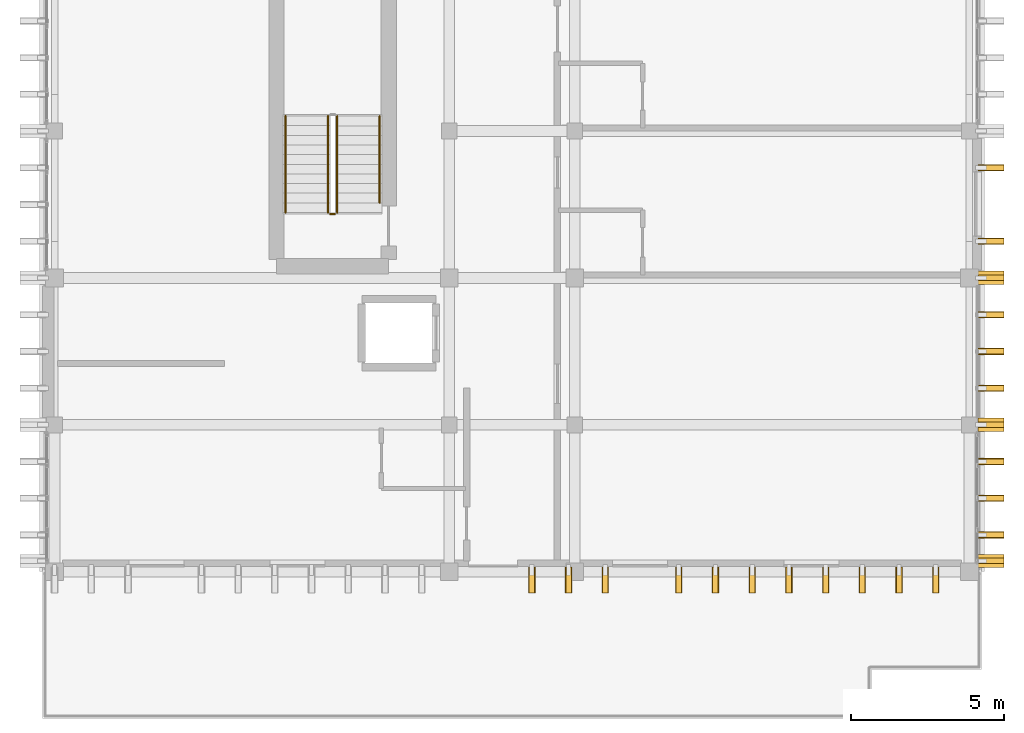
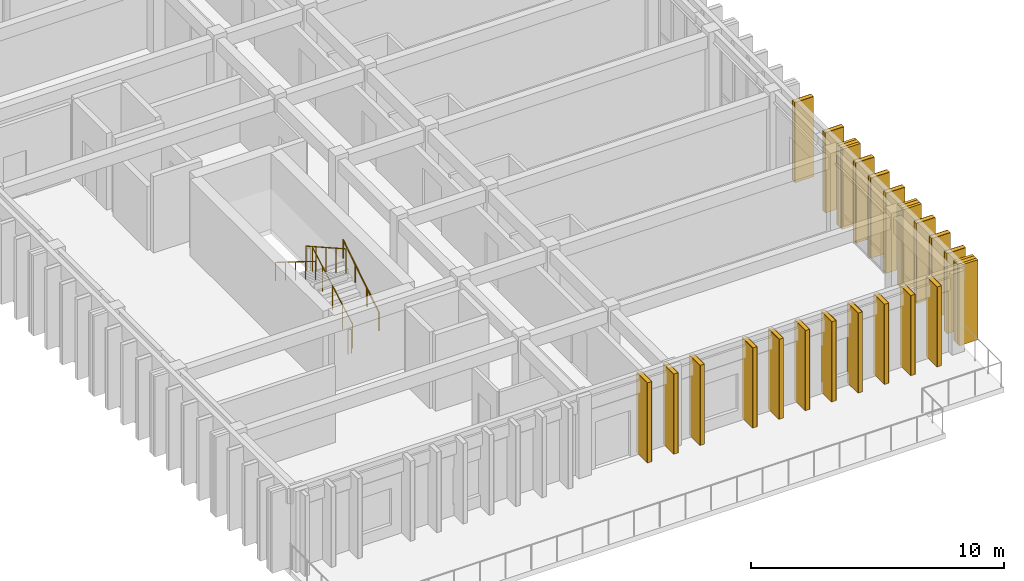
# One storey, part 45 of 49: 22 coverings, 22 shading devices, 5 railings.
"""IFC4 building model written with IfcOpenShell, lengths in metres."""

import ifcopenshell
import ifcopenshell.guid

model = None  # the IFC model being written
_history = None  # IfcOwnerHistory: only IFC2X3 demands one
_inside = {}  # id of a spatial element -> (the spatial element, [elements in it])
_under = {}  # id of a project, library or spatial element -> (it, [spatial elements below it])
_declared = {}  # id of a project -> (the project, [libraries it declares])
_typed = {}  # id of a type object -> (the type object, [elements of that type])
_made_of = {}  # id of a material, layer set ... -> (it, [elements and type objects made of it])


def new_model(schema):
    """Start an empty IFC model of exactly this schema.

    Asked for "IFC4X3", IfcOpenShell would pick the latest addendum, in which some entities
    have other attributes; the version numbers below select the first issue.
    IFC2X3 requires an IfcOwnerHistory on every rooted entity: one is made here for all.
    """
    global model, _history
    if schema == "IFC4X3":
        model = ifcopenshell.file(schema_version=(4, 3, 0, 0))
    else:
        model = ifcopenshell.file(schema=schema)
    _inside.clear()
    _under.clear()
    _declared.clear()
    _typed.clear()
    _made_of.clear()
    _history = None
    if model.schema == "IFC2X3":
        org = make("IfcOrganization", Name="unknown")
        user = make(
            "IfcPersonAndOrganization",
            ThePerson=make("IfcPerson", FamilyName="unknown"),
            TheOrganization=org,
        )
        app = make(
            "IfcApplication",
            ApplicationDeveloper=org,
            Version="unknown",
            ApplicationFullName="unknown",
            ApplicationIdentifier="unknown",
        )
        _history = make(
            "IfcOwnerHistory",
            OwningUser=user,
            OwningApplication=app,
            ChangeAction="ADDED",
            CreationDate=0,
        )
    return model


def make(cls, **values):
    """One entity of the class cls with the attributes given. An attribute that is None is left unset."""
    return model.create_entity(
        cls, **{name: value for name, value in values.items() if value is not None}
    )


def rooted(cls, **values):
    """An entity with a GlobalId (a new one), such as an element, a storey or a relation."""
    return make(cls, GlobalId=ifcopenshell.guid.new(), OwnerHistory=_history, **values)


def si_unit(unit_type, name, prefix=None):
    """IfcSIUnit, for example si_unit("LENGTHUNIT", "METRE", prefix="MILLI")."""
    return make("IfcSIUnit", UnitType=unit_type, Prefix=prefix, Name=name)


def assignment(units):
    """IfcUnitAssignment: the units of a project."""
    return None if units is None else make("IfcUnitAssignment", Units=units)


def point(xyz):
    """IfcCartesianPoint."""
    return None if xyz is None else make("IfcCartesianPoint", Coordinates=xyz)


def direction(xyz):
    """IfcDirection."""
    return None if xyz is None else make("IfcDirection", DirectionRatios=xyz)


def frame(location, z_axis=None, x_axis=None):
    """IfcAxis2Placement3D, a coordinate frame: its origin and axes. An axis left out is left unset."""
    return make(
        "IfcAxis2Placement3D",
        Location=point(location),
        Axis=direction(z_axis),
        RefDirection=direction(x_axis),
    )


def frame_2d(location, x_axis=None):
    """IfcAxis2Placement2D, a coordinate frame in the plane: its origin and x axis."""
    return make(
        "IfcAxis2Placement2D", Location=point(location), RefDirection=direction(x_axis)
    )


def origin():
    """The frame at (0, 0, 0) with its axes left unset."""
    return frame((0.0, 0.0, 0.0))


def origin_2d():
    """The frame at (0, 0) in the plane with its x axis left unset."""
    return frame_2d((0.0, 0.0))


def place(relative_to, where):
    """IfcLocalPlacement: puts the frame where relative to a parent placement (None: the world)."""
    return make(
        "IfcLocalPlacement", PlacementRelTo=relative_to, RelativePlacement=where
    )


def context(
    kind, dimensions, precision=None, world=None, true_north=None, identifier=None
):
    """IfcGeometricRepresentationContext, for example the 3D "Model" context."""
    return make(
        "IfcGeometricRepresentationContext",
        ContextIdentifier=identifier,
        ContextType=kind,
        CoordinateSpaceDimension=dimensions,
        Precision=precision,
        WorldCoordinateSystem=world,
        TrueNorth=true_north,
    )


def subcontext(parent, identifier, kind, view, scale=None):
    """IfcGeometricRepresentationSubContext, for example "Body" below "Model"."""
    return make(
        "IfcGeometricRepresentationSubContext",
        ContextIdentifier=identifier,
        ContextType=kind,
        ParentContext=parent,
        TargetScale=scale,
        TargetView=view,
    )


def project(units=None, contexts=None):
    """IfcProject with its units and contexts."""
    return rooted(
        "IfcProject",
        Name="project",
        RepresentationContexts=contexts,
        UnitsInContext=assignment(units),
    )


def spatial(cls, under=None, at=None, **own):
    """A site, building, storey or space (cls), placed at a placement, below another one or the project."""
    s = rooted(cls, ObjectPlacement=at, **own)
    if under is not None:
        _under.setdefault(under.id(), (under, []))[1].append(s)
    return s


def profile(cls, at=None, kind="AREA", **sizes):
    """A parametric profile (cls). Its sizes go by their IFC names, for example OverallWidth=200.0."""
    return make(cls, ProfileType=kind, Position=at, **sizes)


def rectangle(**sizes):
    """IfcRectangleProfileDef."""
    return profile("IfcRectangleProfileDef", **sizes)


def circle(**sizes):
    """IfcCircleProfileDef."""
    return profile("IfcCircleProfileDef", **sizes)


def extrude(swept, where, along, depth):
    """IfcExtrudedAreaSolid: the profile swept, set in the frame where, extruded along a direction by depth."""
    return make(
        "IfcExtrudedAreaSolid",
        SweptArea=swept,
        Position=where,
        ExtrudedDirection=direction(along),
        Depth=depth,
    )


def shape(context_of_items, identifier, shape_type, items):
    """IfcShapeRepresentation: the items that make up one representation, for example the "Body"."""
    return make(
        "IfcShapeRepresentation",
        ContextOfItems=context_of_items,
        RepresentationIdentifier=identifier,
        RepresentationType=shape_type,
        Items=items,
    )


def material(Name=None, Category=None):
    """IfcMaterial."""
    return make("IfcMaterial", Name=Name, Category=Category)


def layer(
    of_material, thickness, ventilated=None, Name=None, Category=None, Priority=None
):
    """IfcMaterialLayer: one layer of a wall or slab, of a material (None: an air gap)."""
    return make(
        "IfcMaterialLayer",
        Material=of_material,
        LayerThickness=thickness,
        IsVentilated=ventilated,
        Name=Name,
        Category=Category,
        Priority=Priority,
    )


def layer_set(layers, Name=None):
    """IfcMaterialLayerSet."""
    return make("IfcMaterialLayerSet", MaterialLayers=layers, LayerSetName=Name)


def made_of(thing, what):
    """Note that an element or type object is made of a material, layer set ...; save() writes the relation."""
    if what is not None:
        _made_of.setdefault(what.id(), (what, []))[1].append(thing)
    return thing


def type_object(cls, material=None, **own):
    """A type object (cls), such as IfcWallType, which elements share."""
    return made_of(rooted(cls, **own), material)


def element(
    cls,
    number,
    at=None,
    inside=None,
    cuts=None,
    type_object=None,
    material=None,
    context=None,
    identifier="Body",
    shape_type=None,
    held_by="IfcProductDefinitionShape",
    body=None,
    shapes=None,
    **own,
):
    """One element of the class cls, such as IfcWall. Its Tag is "e" and its number.

    at: its placement. inside: the storey or other place that contains it. cuts: it is an
    opening in that element (IfcRelVoidsElement). A single representation is given by context,
    identifier, shape_type and body (its items); several are given by shapes. held_by: the class
    of the entity that holds the representations. save() writes the other relations.
    """
    e = rooted(cls, Tag="e%d" % number, ObjectPlacement=at, **own)
    if body is not None:
        shapes = [shape(context, identifier, shape_type, body)]
    if shapes is not None:
        e.Representation = make(held_by, Representations=shapes)
    if inside is not None:
        _inside.setdefault(inside.id(), (inside, []))[1].append(e)
    if cuts is not None:
        rooted(
            "IfcRelVoidsElement", RelatingBuildingElement=cuts, RelatedOpeningElement=e
        )
    if type_object is not None:
        _typed.setdefault(type_object.id(), (type_object, []))[1].append(e)
    return made_of(e, material)


def aggregate(whole, parts):
    """IfcRelAggregates: a whole, such as a stair, and the parts it consists of."""
    return rooted("IfcRelAggregates", RelatingObject=whole, RelatedObjects=parts)


def save(model, path):
    """Write the relations noted so far, then the file.

    IfcRelAggregates (storeys below a building ...), IfcRelContainedInSpatialStructure (elements
    in a storey), IfcRelDefinesByType, IfcRelAssociatesMaterial and IfcRelDeclares: one each for
    every whole, place, type object, material and project.
    """
    for whole, parts in _under.values():
        aggregate(whole, parts)
    for where, things in _inside.values():
        rooted(
            "IfcRelContainedInSpatialStructure",
            RelatedElements=things,
            RelatingStructure=where,
        )
    for kind, things in _typed.values():
        rooted("IfcRelDefinesByType", RelatedObjects=things, RelatingType=kind)
    for what, things in _made_of.values():
        rooted("IfcRelAssociatesMaterial", RelatedObjects=things, RelatingMaterial=what)
    for by, libraries in _declared.values():
        rooted("IfcRelDeclares", RelatingContext=by, RelatedDefinitions=libraries)
    model.write(path)


model = new_model("IFC4")

# Units and contexts
model_context = context("Model", 3, precision=1e-05, world=origin(), true_north=direction((0.0, 1.0)))
body_context = subcontext(model_context, "Body", "Model", "MODEL_VIEW")
ifc_project = project(units=[si_unit("LENGTHUNIT", "METRE"), si_unit("AREAUNIT", "SQUARE_METRE"), si_unit("VOLUMEUNIT", "CUBIC_METRE"), si_unit("PLANEANGLEUNIT", "RADIAN"), si_unit("MASSUNIT", "GRAM", prefix="KILO")], contexts=[model_context])

# Site, building, storey
site_placement = place(None, origin())
site = spatial("IfcSite", under=ifc_project, at=site_placement, CompositionType="ELEMENT")
building_placement = place(site_placement, origin())
building = spatial("IfcBuilding", under=site, at=building_placement, Name="Nakhvara Creek Congress Hotel", CompositionType="ELEMENT")
storey_placement = place(building_placement, frame((0.0, 0.0, 46.5)))
storey = spatial("IfcBuildingStorey", under=building, at=storey_placement, Name="L11", CompositionType="ELEMENT", Elevation=46.5)

# Coverings
ifc_material_1 = material(Name="Honed pale Omani limestone architectural cladding", Category="masonry")
ifc_layer = layer(ifc_material_1, 0.219970703125)
ifc_layer_set = layer_set([ifc_layer], Name="Honed pale Omani limestone architectural cladding")
covering_type = type_object("IfcCoveringType", Name="COV-FIN-850", PredefinedType="CLADDING", material=ifc_layer_set)
covering_1_placement = place(storey_placement, frame((180.054931640625, 67.550048828125, 0.0), z_axis=(0.0, 0.0, 1.0), x_axis=(0.0, 1.0, 0.0)))
element("IfcCovering", 1, at=covering_1_placement, inside=storey, type_object=covering_type, Name="Pale Limestone Fin Cladding CF01-2439", PredefinedType="CLADDING", context=body_context, shape_type="SweptSolid", body=[
    extrude(rectangle(XDim=0.43994140625, YDim=0.85009765625, at=origin_2d()), origin(), (0.0, 0.0, 1.0), 3.860107421875),
])
for number, where, z_axis, x_axis, name in (
    (2, (180.054931640625, 68.39990234375, 0.0), (0.0, 0.0, 1.0), (0.0, 1.0, 0.0), "Pale Limestone Fin Cladding CF01-2441"),
    (3, (180.054931640625, 69.60009765625, 0.0), (0.0, 0.0, 1.0), (0.0, 1.0, 0.0), "Pale Limestone Fin Cladding CF01-2443"),
    (4, (180.054931640625, 70.800048828125, 0.0), (0.0, 0.0, 1.0), (0.0, 1.0, 0.0), "Pale Limestone Fin Cladding CF01-2445"),
):
    element("IfcCovering", number, at=place(storey_placement, frame(where, z_axis=z_axis, x_axis=x_axis)), inside=storey, type_object=covering_type, Name=name, PredefinedType="CLADDING", context=body_context, shape_type="SweptSolid", body=[
        extrude(rectangle(XDim=0.219970703125, YDim=0.85009765625, at=origin_2d()), origin(), (0.0, 0.0, 1.0), 3.860107421875),
    ])
covering_2_placement = place(storey_placement, frame((180.054931640625, 72.0, 0.0), z_axis=(0.0, 0.0, 1.0), x_axis=(0.0, 1.0, 0.0)))
element("IfcCovering", 5, at=covering_2_placement, inside=storey, type_object=covering_type, Name="Pale Limestone Fin Cladding CF01-2447", PredefinedType="CLADDING", context=body_context, shape_type="SweptSolid", body=[
    extrude(rectangle(XDim=0.43994140625, YDim=0.85009765625, at=origin_2d()), origin(), (0.0, 0.0, 1.0), 3.860107421875),
])
for number, where, z_axis, x_axis, name in (
    (6, (180.054931640625, 73.199951171875, 0.0), (0.0, 0.0, 1.0), (0.0, 1.0, 0.0), "Pale Limestone Fin Cladding CF01-2449"),
    (7, (180.054931640625, 74.39990234375, 0.0), (0.0, 0.0, 1.0), (0.0, 1.0, 0.0), "Pale Limestone Fin Cladding CF01-2451"),
    (8, (180.054931640625, 75.60009765625, 0.0), (0.0, 0.0, 1.0), (0.0, 1.0, 0.0), "Pale Limestone Fin Cladding CF01-2453"),
):
    element("IfcCovering", number, at=place(storey_placement, frame(where, z_axis=z_axis, x_axis=x_axis)), inside=storey, type_object=covering_type, Name=name, PredefinedType="CLADDING", context=body_context, shape_type="SweptSolid", body=[
        extrude(rectangle(XDim=0.219970703125, YDim=0.85009765625, at=origin_2d()), origin(), (0.0, 0.0, 1.0), 3.860107421875),
    ])
covering_3_placement = place(storey_placement, frame((180.054931640625, 76.800048828125, 0.0), z_axis=(0.0, 0.0, 1.0), x_axis=(0.0, 1.0, 0.0)))
element("IfcCovering", 9, at=covering_3_placement, inside=storey, type_object=covering_type, Name="Pale Limestone Fin Cladding CF01-2455", PredefinedType="CLADDING", context=body_context, shape_type="SweptSolid", body=[
    extrude(rectangle(XDim=0.43994140625, YDim=0.85009765625, at=origin_2d()), origin(), (0.0, 0.0, 1.0), 3.860107421875),
])
for number, where, z_axis, x_axis, name in (
    (10, (180.054931640625, 78.0, 0.0), (0.0, 0.0, 1.0), (0.0, 1.0, 0.0), "Pale Limestone Fin Cladding CF01-2457"),
    (11, (180.054931640625, 80.39990234375, 0.0), (0.0, 0.0, 1.0), (0.0, 1.0, 0.0), "Pale Limestone Fin Cladding CF01-2460"),
    (12, (165.050048828125, 66.93505859375, 0.0), (0.0, 0.0, 1.0), (1.0, 0.0, 0.0), "Pale Limestone Fin Cladding CF01-2558"),
    (13, (166.25, 66.93505859375, 0.0), (0.0, 0.0, 1.0), (1.0, 0.0, 0.0), "Pale Limestone Fin Cladding CF01-2560"),
    (14, (167.449951171875, 66.93505859375, 0.0), (0.0, 0.0, 1.0), (1.0, 0.0, 0.0), "Pale Limestone Fin Cladding CF01-2562"),
    (15, (169.85009765625, 66.93505859375, 0.0), (0.0, 0.0, 1.0), (1.0, 0.0, 0.0), "Pale Limestone Fin Cladding CF01-2565"),
    (16, (171.050048828125, 66.93505859375, 0.0), (0.0, 0.0, 1.0), (1.0, 0.0, 0.0), "Pale Limestone Fin Cladding CF01-2567"),
    (17, (172.25, 66.93505859375, 0.0), (0.0, 0.0, 1.0), (1.0, 0.0, 0.0), "Pale Limestone Fin Cladding CF01-2569"),
    (18, (173.449951171875, 66.93505859375, 0.0), (0.0, 0.0, 1.0), (1.0, 0.0, 0.0), "Pale Limestone Fin Cladding CF01-2571"),
    (19, (174.64990234375, 66.93505859375, 0.0), (0.0, 0.0, 1.0), (1.0, 0.0, 0.0), "Pale Limestone Fin Cladding CF01-2573"),
    (20, (175.85009765625, 66.93505859375, 0.0), (0.0, 0.0, 1.0), (1.0, 0.0, 0.0), "Pale Limestone Fin Cladding CF01-2574"),
    (21, (177.050048828125, 66.93505859375, 0.0), (0.0, 0.0, 1.0), (1.0, 0.0, 0.0), "Pale Limestone Fin Cladding CF01-2576"),
    (22, (178.25, 66.93505859375, 0.0), (0.0, 0.0, 1.0), (1.0, 0.0, 0.0), "Pale Limestone Fin Cladding CF01-2578"),
):
    element("IfcCovering", number, at=place(storey_placement, frame(where, z_axis=z_axis, x_axis=x_axis)), inside=storey, type_object=covering_type, Name=name, PredefinedType="CLADDING", context=body_context, shape_type="SweptSolid", body=[
        extrude(rectangle(XDim=0.219970703125, YDim=0.85009765625, at=origin_2d()), origin(), (0.0, 0.0, 1.0), 3.860107421875),
    ])

# Railings
ifc_material_2 = material(Name="Brushed stainless steel 316L", Category="steel")
railing_type_1 = type_object("IfcRailingType", Name="RL-GUARD-1200", PredefinedType="GUARDRAIL", material=ifc_material_2)
railing_1_placement = place(storey_placement, frame((158.68505859375, 78.93994140625, 0.17724609375)))
element("IfcRailing", 23, at=railing_1_placement, inside=storey, type_object=railing_type_1, Name="L11 ST01 stair guard 1", PredefinedType="GUARDRAIL", context=body_context, shape_type="SweptSolid", body=[
    extrude(circle(Radius=0.02392578125, at=origin_2d()), frame((0.0, 0.0126953125, 1.18310546875), z_axis=(0.0, 0.871487137878, 0.490418360702), x_axis=(-1.0, 0.0, 0.0)), (0.0, 0.0, 1.0), 3.585205078125),
    extrude(circle(Radius=0.02099609375, at=origin_2d()), origin(), (0.0, 0.0, 1.0), 1.1806640625),
    extrude(circle(Radius=0.02099609375, at=origin_2d()), frame((0.0, 0.78759765625, 0.443115234375)), (0.0, 0.0, 1.0), 1.1806640625),
    extrude(circle(Radius=0.02099609375, at=origin_2d()), frame((0.0, 1.5751953125, 0.88623046875)), (0.0, 0.0, 1.0), 1.1806640625),
    extrude(circle(Radius=0.02099609375, at=origin_2d()), frame((0.0, 2.362548828125, 1.32958984375)), (0.0, 0.0, 1.0), 1.1806640625),
    extrude(circle(Radius=0.02099609375, at=origin_2d()), frame((0.0, 3.150146484375, 1.772705078125)), (0.0, 0.0, 1.0), 1.1806640625),
])
railing_2_placement = place(storey_placement, frame((158.385009765625, 82.090087890625, 2.127197265625)))
element("IfcRailing", 24, at=railing_2_placement, inside=storey, type_object=railing_type_1, Name="L11 ST01 stair guard 3", PredefinedType="GUARDRAIL", context=body_context, shape_type="SweptSolid", body=[
    extrude(circle(Radius=0.02392578125, at=origin_2d()), frame((0.0, -0.0126953125, 1.18310546875), z_axis=(0.0, -0.871487137878, 0.490418360702), x_axis=(1.0, 0.0, 0.0)), (0.0, 0.0, 1.0), 3.585205078125),
    extrude(circle(Radius=0.02099609375, at=origin_2d()), origin(), (0.0, 0.0, 1.0), 1.1806640625),
    extrude(circle(Radius=0.02099609375, at=origin_2d()), frame((0.0, -0.78759765625, 0.443115234375)), (0.0, 0.0, 1.0), 1.1806640625),
    extrude(circle(Radius=0.02099609375, at=origin_2d()), frame((0.0, -1.5751953125, 0.88623046875)), (0.0, 0.0, 1.0), 1.1806640625),
    extrude(circle(Radius=0.02099609375, at=origin_2d()), frame((0.0, -2.362548828125, 1.32958984375)), (0.0, 0.0, 1.0), 1.1806640625),
    extrude(circle(Radius=0.02099609375, at=origin_2d()), frame((0.0, -3.150146484375, 1.772705078125)), (0.0, 0.0, 1.0), 1.1806640625),
])
railing_3_placement = place(storey_placement, frame((158.610107421875, 78.889892578125, 0.0)))
element("IfcRailing", 25, at=railing_3_placement, inside=storey, type_object=railing_type_1, Name="L11 ST01 stair guard 4", PredefinedType="GUARDRAIL", context=body_context, shape_type="SweptSolid", body=[
    extrude(circle(Radius=0.02392578125, at=origin_2d()), frame((-0.0146484375, 0.0, 1.17578125), z_axis=(-1.0, 0.0, 0.0), x_axis=(0.0, -1.0, 0.0)), (0.0, 0.0, 1.0), 0.120849609375),
    extrude(circle(Radius=0.02099609375, at=origin_2d()), origin(), (0.0, 0.0, 1.0), 1.1806640625),
    extrude(circle(Radius=0.02099609375, at=origin_2d()), frame((-0.150146484375, 0.0, 0.0)), (0.0, 0.0, 1.0), 1.1806640625),
])
railing_type_2 = type_object("IfcRailingType", Name="RL-HAND-900", PredefinedType="HANDRAIL", material=ifc_material_2)
railing_4_placement = place(storey_placement, frame((160.074951171875, 79.2548828125, 0.3544921875)))
element("IfcRailing", 26, at=railing_4_placement, inside=storey, type_object=railing_type_2, Name="L11 ST01 stair handrail 1", PredefinedType="HANDRAIL", context=body_context, shape_type="SweptSolid", body=[
    extrude(circle(Radius=0.02392578125, at=origin_2d()), frame((0.0, 0.012451171875, 0.8837890625), z_axis=(0.0, 0.846426311907, 0.532505867114), x_axis=(-1.0, 0.0, 0.0)), (0.0, 0.0, 1.0), 3.3203125),
    extrude(circle(Radius=0.02099609375, at=origin_2d()), origin(), (0.0, 0.0, 1.0), 0.880615234375),
    extrude(circle(Radius=0.02099609375, at=origin_2d()), frame((0.0, 0.945068359375, 0.594482421875)), (0.0, 0.0, 1.0), 0.880615234375),
    extrude(circle(Radius=0.02099609375, at=origin_2d()), frame((0.0, 1.89013671875, 1.189208984375)), (0.0, 0.0, 1.0), 0.880615234375),
    extrude(circle(Radius=0.02099609375, at=origin_2d()), frame((0.0, 2.835205078125, 1.78369140625)), (0.0, 0.0, 1.0), 0.880615234375),
])
railing_5_placement = place(storey_placement, frame((156.9951171875, 82.090087890625, 2.127197265625)))
element("IfcRailing", 27, at=railing_5_placement, inside=storey, type_object=railing_type_2, Name="L11 ST01 stair handrail 2", PredefinedType="HANDRAIL", context=body_context, shape_type="SweptSolid", body=[
    extrude(circle(Radius=0.02392578125, at=origin_2d()), frame((0.0, -0.012451171875, 0.883544921875), z_axis=(0.0, -0.848924757482, 0.528513723696), x_axis=(1.0, 0.0, 0.0)), (0.0, 0.0, 1.0), 3.681396484375),
    extrude(circle(Radius=0.02099609375, at=origin_2d()), origin(), (0.0, 0.0, 1.0), 0.880615234375),
    extrude(circle(Radius=0.02099609375, at=origin_2d()), frame((0.0, -0.78759765625, 0.490234375)), (0.0, 0.0, 1.0), 0.880615234375),
    extrude(circle(Radius=0.02099609375, at=origin_2d()), frame((0.0, -1.5751953125, 0.98046875)), (0.0, 0.0, 1.0), 0.880615234375),
    extrude(circle(Radius=0.02099609375, at=origin_2d()), frame((0.0, -2.362548828125, 1.470947265625)), (0.0, 0.0, 1.0), 0.880615234375),
    extrude(circle(Radius=0.02099609375, at=origin_2d()), frame((0.0, -3.150146484375, 1.961181640625)), (0.0, 0.0, 1.0), 0.880615234375),
])

# Shading devices
ifc_material_3 = material(Name="Honed pale Omani limestone cladding on stainless steel spine", Category="masonry")
shading_device_type = type_object("IfcShadingDeviceType", Name="SHD-FIN-850X3600", PredefinedType="USERDEFINED", material=ifc_material_3)
for number, where, z_axis, x_axis, name in (
    (28, (180.054931640625, 67.550048828125, 0.0), (0.0, 0.0, 1.0), (0.0, 1.0, 0.0), "Limestone Solar Fin FN01-2304"),
    (29, (180.054931640625, 68.39990234375, 0.0), (0.0, 0.0, 1.0), (0.0, 1.0, 0.0), "Limestone Solar Fin FN01-2306"),
    (30, (180.054931640625, 69.60009765625, 0.0), (0.0, 0.0, 1.0), (0.0, 1.0, 0.0), "Limestone Solar Fin FN01-2308"),
    (31, (180.054931640625, 70.800048828125, 0.0), (0.0, 0.0, 1.0), (0.0, 1.0, 0.0), "Limestone Solar Fin FN01-2310"),
    (32, (180.054931640625, 72.0, 0.0), (0.0, 0.0, 1.0), (0.0, 1.0, 0.0), "Limestone Solar Fin FN01-2312"),
    (33, (180.054931640625, 73.199951171875, 0.0), (0.0, 0.0, 1.0), (0.0, 1.0, 0.0), "Limestone Solar Fin FN01-2314"),
    (34, (180.054931640625, 74.39990234375, 0.0), (0.0, 0.0, 1.0), (0.0, 1.0, 0.0), "Limestone Solar Fin FN01-2316"),
    (35, (180.054931640625, 75.60009765625, 0.0), (0.0, 0.0, 1.0), (0.0, 1.0, 0.0), "Limestone Solar Fin FN01-2318"),
    (36, (180.054931640625, 76.800048828125, 0.0), (0.0, 0.0, 1.0), (0.0, 1.0, 0.0), "Limestone Solar Fin FN01-2320"),
    (37, (180.054931640625, 78.0, 0.0), (0.0, 0.0, 1.0), (0.0, 1.0, 0.0), "Limestone Solar Fin FN01-2322"),
    (38, (180.054931640625, 80.39990234375, 0.0), (0.0, 0.0, 1.0), (0.0, 1.0, 0.0), "Limestone Solar Fin FN01-2325"),
    (39, (165.050048828125, 66.93505859375, 0.0), (0.0, 0.0, 1.0), (1.0, 0.0, 0.0), "Limestone Solar Fin FN01-2423"),
    (40, (166.25, 66.93505859375, 0.0), (0.0, 0.0, 1.0), (1.0, 0.0, 0.0), "Limestone Solar Fin FN01-2425"),
    (41, (167.449951171875, 66.93505859375, 0.0), (0.0, 0.0, 1.0), (1.0, 0.0, 0.0), "Limestone Solar Fin FN01-2427"),
    (42, (169.85009765625, 66.93505859375, 0.0), (0.0, 0.0, 1.0), (1.0, 0.0, 0.0), "Limestone Solar Fin FN01-2430"),
    (43, (171.050048828125, 66.93505859375, 0.0), (0.0, 0.0, 1.0), (1.0, 0.0, 0.0), "Limestone Solar Fin FN01-2432"),
    (44, (172.25, 66.93505859375, 0.0), (0.0, 0.0, 1.0), (1.0, 0.0, 0.0), "Limestone Solar Fin FN01-2434"),
    (45, (173.449951171875, 66.93505859375, 0.0), (0.0, 0.0, 1.0), (1.0, 0.0, 0.0), "Limestone Solar Fin FN01-2436"),
    (46, (174.64990234375, 66.93505859375, 0.0), (0.0, 0.0, 1.0), (1.0, 0.0, 0.0), "Limestone Solar Fin FN01-2438"),
    (47, (175.85009765625, 66.93505859375, 0.0), (0.0, 0.0, 1.0), (1.0, 0.0, 0.0), "Limestone Solar Fin FN01-2439"),
    (48, (177.050048828125, 66.93505859375, 0.0), (0.0, 0.0, 1.0), (1.0, 0.0, 0.0), "Limestone Solar Fin FN01-2441"),
    (49, (178.25, 66.93505859375, 0.0), (0.0, 0.0, 1.0), (1.0, 0.0, 0.0), "Limestone Solar Fin FN01-2443"),
):
    element("IfcShadingDevice", number, at=place(storey_placement, frame(where, z_axis=z_axis, x_axis=x_axis)), inside=storey, type_object=shading_device_type, Name=name, ObjectType="FIN", PredefinedType="USERDEFINED", context=body_context, shape_type="SweptSolid", body=[
        extrude(rectangle(XDim=0.179931640625, YDim=0.85009765625, at=origin_2d()), origin(), (0.0, 0.0, 1.0), 3.860107421875),
    ])

save(model, "model.ifc")
